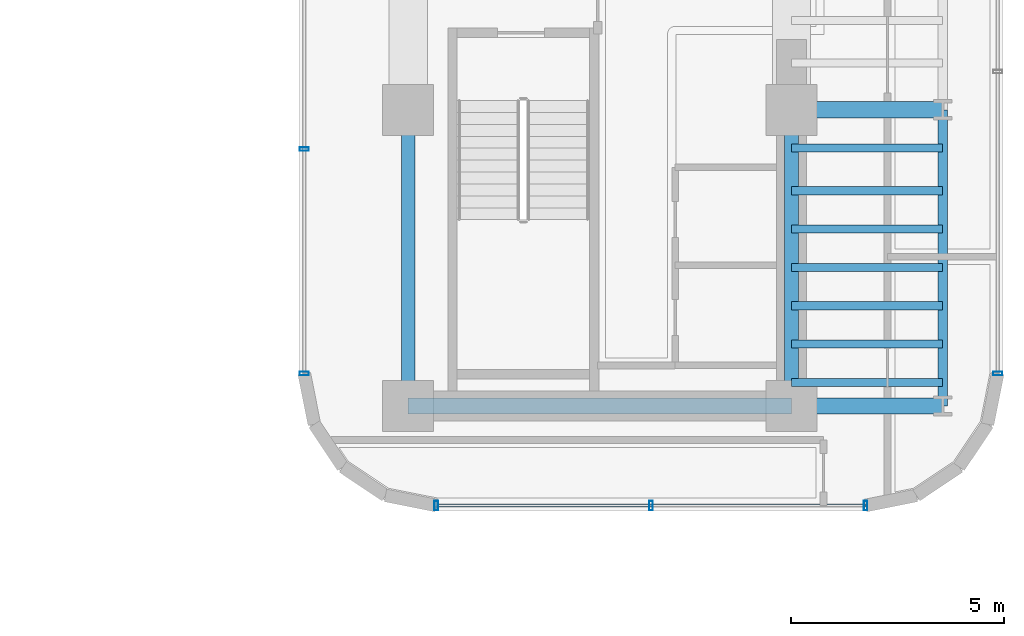
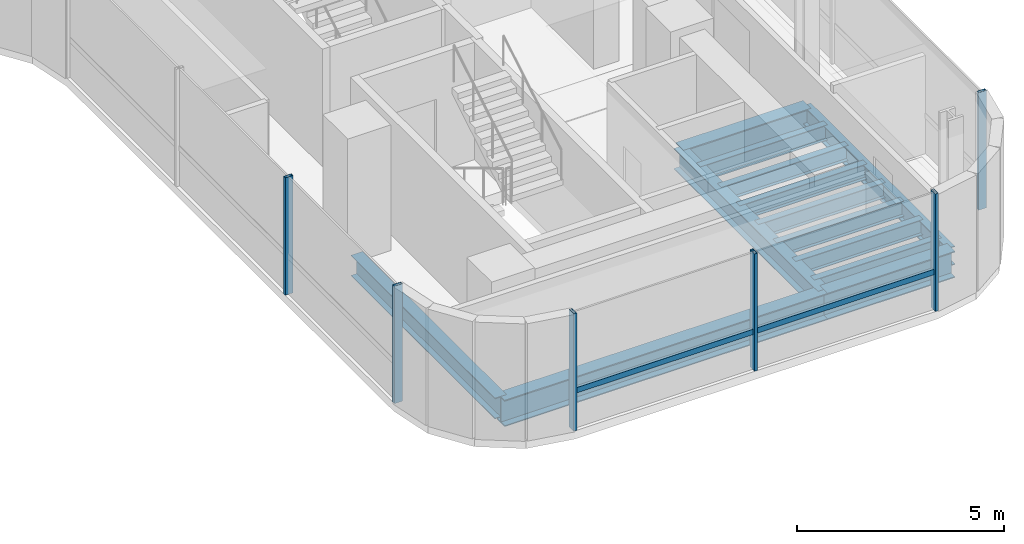
# One storey, part 13 of 38: 13 beams, 7 members, 3 elements without a shape of their own.
"""IFC4 building model written with IfcOpenShell, lengths in metres."""

from ifc_helpers import new_model, si_unit, direction, frame, origin, origin_2d, place, context, subcontext, project, spatial, hollow_rectangle, i_section, extrude, source, transform, mapped, material, material_profile, profile_set, type_object, element, aggregate, save


model = new_model("IFC4")

# Units and contexts
model_context = context("Model", 3, precision=1e-05, world=origin(), true_north=direction((0.0, 1.0)))
body_context = subcontext(model_context, "Body", "Model", "MODEL_VIEW")
ifc_project = project(units=[si_unit("LENGTHUNIT", "METRE"), si_unit("AREAUNIT", "SQUARE_METRE"), si_unit("VOLUMEUNIT", "CUBIC_METRE"), si_unit("PLANEANGLEUNIT", "RADIAN"), si_unit("MASSUNIT", "GRAM", prefix="KILO")], contexts=[model_context])

# Site, building, storey
site_placement = place(None, origin())
site = spatial("IfcSite", under=ifc_project, at=site_placement, CompositionType="ELEMENT")
building_placement = place(site_placement, origin())
building = spatial("IfcBuilding", under=site, at=building_placement, Name="Valdorenza Pilgrim Sanctuary Tower", CompositionType="ELEMENT")
storey_placement = place(building_placement, frame((0.0, 0.0, 131.60009765625)))
storey = spatial("IfcBuildingStorey", under=building, at=storey_placement, Name="L33", CompositionType="ELEMENT", Elevation=131.60009765625)

# Beams
ifc_material_1 = material(Name="Steel ASTM A992 Grade 50", Category="steel")
ifc_material_profile_1 = material_profile(ifc_material_1, i_section(OverallWidth=0.323974609375, OverallDepth=0.611083984375, WebThickness=0.0126953125, FlangeThickness=0.01904296875, at=origin_2d()), Name="W24X104")
ifc_profile_set_1 = profile_set([ifc_material_profile_1], Name="Steel ASTM A992 Grade 50")
beam_type_1 = type_object("IfcBeamType", Name="STR-BM-GRD-W24B", PredefinedType="BEAM", material=ifc_profile_set_1)
shared_shape_1 = source(origin(), body_context, "Body", "SweptSolid", [
    extrude(i_section(OverallWidth=0.323974609375, OverallDepth=0.611083984375, WebThickness=0.0126953125, FlangeThickness=0.01904296875, at=origin_2d()), origin(), (0.0, 0.0, 1.0), 6.949951171875),
])
for number, where, z_axis, x_axis, name in (
    (1, (15.85009765625, -9.550048828125, -0.545654296875), (0.0, 1.0, 0.0), (-1.0, 0.0, 0.0), "L33 Core Tie Girder CB-W-S1M0"),
    (2, (24.85009765625, -9.550048828125, -0.545654296875), (0.0, 1.0, 0.0), (-1.0, 0.0, 0.0), "L33 Core Tie Girder CB-E-S1M0"),
):
    element("IfcBeam", number, at=place(storey_placement, frame(where, z_axis=z_axis, x_axis=x_axis)), inside=storey, type_object=beam_type_1, Name=name, PredefinedType="BEAM", context=body_context, shape_type="MappedRepresentation", body=[
        mapped(shared_shape_1, transform((0.0, 0.0, 0.0), x_axis=(1.0, 0.0, 0.0), y_axis=(0.0, 1.0, 0.0), z_axis=(0.0, 0.0, 1.0), scale=1.0)),
    ])
ifc_material_profile_2 = material_profile(ifc_material_1, i_section(OverallWidth=0.214111328125, OverallDepth=0.549072265625, WebThickness=0.0146484375, FlangeThickness=0.023681640625, at=origin_2d()), Name="W21X93")
ifc_profile_set_2 = profile_set([ifc_material_profile_2], Name="Steel ASTM A992 Grade 50")
beam_type_2 = type_object("IfcBeamType", Name="STR-BM-SPN-W21A", PredefinedType="SPANDREL", material=ifc_profile_set_2)
shared_shape_2 = source(origin(), body_context, "Body", "SweptSolid", [
    extrude(i_section(OverallWidth=0.214111328125, OverallDepth=0.549072265625, WebThickness=0.0146484375, FlangeThickness=0.023681640625, at=origin_2d()), origin(), (0.0, 0.0, 1.0), 6.949951171875),
])
beam_1_placement = place(storey_placement, frame((28.39990234375, -9.550048828125, -0.5146484375), z_axis=(0.0, 1.0, 0.0), x_axis=(-1.0, 0.0, 0.0)))
element("IfcBeam", 3, at=beam_1_placement, inside=storey, type_object=beam_type_2, Name="L33 Spandrel Beam WB-E-S1M0", PredefinedType="SPANDREL", context=body_context, shape_type="MappedRepresentation", body=[
    mapped(shared_shape_2, transform((0.0, 0.0, 0.0), x_axis=(1.0, 0.0, 0.0), y_axis=(0.0, 1.0, 0.0), z_axis=(0.0, 0.0, 1.0), scale=1.0)),
])
ifc_material_profile_3 = material_profile(ifc_material_1, i_section(OverallWidth=0.382080078125, OverallDepth=0.779052734375, WebThickness=0.01806640625, FlangeThickness=0.030029296875, at=origin_2d()), Name="W30X191")
ifc_profile_set_3 = profile_set([ifc_material_profile_3], Name="Steel ASTM A992 Grade 50")
beam_type_3 = type_object("IfcBeamType", Name="STR-BM-GRD-W30", PredefinedType="BEAM", material=ifc_profile_set_3)
shared_shape_3 = source(origin(), body_context, "Body", "SweptSolid", [
    extrude(i_section(OverallWidth=0.382080078125, OverallDepth=0.779052734375, WebThickness=0.01806640625, FlangeThickness=0.030029296875, at=origin_2d()), origin(), (0.0, 0.0, 1.0), 9.0),
])
beam_2_placement = place(storey_placement, frame((15.85009765625, -9.550048828125, -0.629638671875), z_axis=(1.0, 0.0, 0.0), x_axis=(0.0, 1.0, 0.0)))
element("IfcBeam", 4, at=beam_2_placement, inside=storey, type_object=beam_type_3, Name="L33 Floor Girder CB-XC-S1", PredefinedType="BEAM", context=body_context, shape_type="MappedRepresentation", body=[
    mapped(shared_shape_3, transform((0.0, 0.0, 0.0), x_axis=(1.0, 0.0, 0.0), y_axis=(0.0, 1.0, 0.0), z_axis=(0.0, 0.0, 1.0), scale=1.0)),
])
shared_shape_4 = source(origin(), body_context, "Body", "SweptSolid", [
    extrude(i_section(OverallWidth=0.382080078125, OverallDepth=0.779052734375, WebThickness=0.01806640625, FlangeThickness=0.030029296875, at=origin_2d()), origin(), (0.0, 0.0, 1.0), 3.5498046875),
])
for number, where, z_axis, x_axis, name in (
    (5, (24.85009765625, -9.550048828125, -0.629638671875), (1.0, 0.0, 0.0), (0.0, 1.0, 0.0), "L33 Floor Girder WB-XE-S1"),
    (6, (24.85009765625, -2.60009765625, -0.629638671875), (1.0, 0.0, 0.0), (0.0, 1.0, 0.0), "L33 Floor Girder WB-XE-M0"),
):
    element("IfcBeam", number, at=place(storey_placement, frame(where, z_axis=z_axis, x_axis=x_axis)), inside=storey, type_object=beam_type_3, Name=name, PredefinedType="BEAM", context=body_context, shape_type="MappedRepresentation", body=[
        mapped(shared_shape_4, transform((0.0, 0.0, 0.0), x_axis=(1.0, 0.0, 0.0), y_axis=(0.0, 1.0, 0.0), z_axis=(0.0, 0.0, 1.0), scale=1.0)),
    ])
ifc_material_profile_4 = material_profile(ifc_material_1, i_section(OverallWidth=0.19091796875, OverallDepth=0.45703125, WebThickness=0.009033203125, FlangeThickness=0.014404296875, at=origin_2d()), Name="W18X50")
ifc_profile_set_4 = profile_set([ifc_material_profile_4], Name="Steel ASTM A992 Grade 50")
beam_type_4 = type_object("IfcBeamType", Name="STR-BM-JST-W18B", PredefinedType="JOIST", material=ifc_profile_set_4)
shared_shape_5 = source(origin(), body_context, "Body", "SweptSolid", [
    extrude(i_section(OverallWidth=0.19091796875, OverallDepth=0.45703125, WebThickness=0.009033203125, FlangeThickness=0.014404296875, at=origin_2d()), origin(), (0.0, 0.0, 1.0), 3.5498046875),
])
for number, where, z_axis, x_axis, name in (
    (7, (24.85009765625, -9.0, -0.468505859375), (1.0, 0.0, 0.0), (0.0, 1.0, 0.0), "L33 Composite Floor Joist JST-WB-1"),
    (8, (24.85009765625, -8.10009765625, -0.468505859375), (1.0, 0.0, 0.0), (0.0, 1.0, 0.0), "L33 Composite Floor Joist JST-WB-2"),
    (9, (24.85009765625, -7.199951171875, -0.468505859375), (1.0, 0.0, 0.0), (0.0, 1.0, 0.0), "L33 Composite Floor Joist JST-WB-3"),
    (10, (24.85009765625, -6.300048828125, -0.468505859375), (1.0, 0.0, 0.0), (0.0, 1.0, 0.0), "L33 Composite Floor Joist JST-WB-4"),
    (11, (24.85009765625, -5.39990234375, -0.468505859375), (1.0, 0.0, 0.0), (0.0, 1.0, 0.0), "L33 Composite Floor Joist JST-WB-5"),
    (12, (24.85009765625, -4.5, -0.468505859375), (1.0, 0.0, 0.0), (0.0, 1.0, 0.0), "L33 Composite Floor Joist JST-WB-6"),
    (13, (24.85009765625, -3.5, -0.468505859375), (1.0, 0.0, 0.0), (0.0, 1.0, 0.0), "L33 Composite Floor Joist JST-WB-7"),
):
    element("IfcBeam", number, at=place(storey_placement, frame(where, z_axis=z_axis, x_axis=x_axis)), inside=storey, type_object=beam_type_4, Name=name, PredefinedType="JOIST", context=body_context, shape_type="MappedRepresentation", body=[
        mapped(shared_shape_5, transform((0.0, 0.0, 0.0), x_axis=(1.0, 0.0, 0.0), y_axis=(0.0, 1.0, 0.0), z_axis=(0.0, 0.0, 1.0), scale=1.0)),
    ])

# Curtain wall, member
ifc_material_2 = material(Name="Curtain-wall IGU glazing", Category="glass")
curtain_wall_type = type_object("IfcCurtainWallType", Name="CW-SYS-03", PredefinedType="NOTDEFINED", material=ifc_material_2)
curtain_wall_1_placement = place(storey_placement, origin())
curtain_wall_1 = element("IfcCurtainWall", 14, at=curtain_wall_1_placement, inside=storey, type_object=curtain_wall_type, Name="L33 Curtain Wall CW-L33-1-21", PredefinedType="NOTDEFINED")
ifc_material_3 = material(Name="Anodised aluminium AW-6060", Category="aluminium")
ifc_material_profile_5 = material_profile(ifc_material_3, hollow_rectangle(XDim=0.0849609375, YDim=0.219970703125, WallThickness=0.0048828125, at=origin_2d()), Name="ALU-M 220x85x5")
ifc_profile_set_5 = profile_set([ifc_material_profile_5], Name="Anodised aluminium AW-6060")
member_type_1 = type_object("IfcMemberType", Name="CW-MUL-03", PredefinedType="MULLION", material=ifc_profile_set_5)
shared_shape_6 = source(origin(), body_context, "Body", "SweptSolid", [
    extrude(hollow_rectangle(XDim=0.0849609375, YDim=0.219970703125, WallThickness=0.0048828125, at=origin_2d()), origin(), (0.0, 0.0, 1.0), 3.4599609375),
])
member_1_placement = place(storey_placement, frame((29.68994140625, -8.789306640625, 0.0), z_axis=(0.0, 0.0, 1.0), x_axis=(0.0, -1.0, 0.0)))
member_1 = element("IfcMember", 15, at=member_1_placement, type_object=member_type_1, Name="CW-L33-1-21 Mullion 4", PredefinedType="MULLION", context=body_context, shape_type="MappedRepresentation", body=[
    mapped(shared_shape_6, transform((0.0, 0.0, 0.0), x_axis=(1.0, 0.0, 0.0), y_axis=(0.0, 1.0, 0.0), z_axis=(0.0, 0.0, 1.0), scale=1.0)),
])
aggregate(curtain_wall_1, [member_1])

# Curtain wall, members
curtain_wall_2_placement = place(storey_placement, origin())
curtain_wall_2 = element("IfcCurtainWall", 16, at=curtain_wall_2_placement, inside=storey, type_object=curtain_wall_type, Name="L33 Curtain Wall CW-L33-1-26", PredefinedType="NOTDEFINED")
member_2_placement = place(storey_placement, frame((26.589111328125, -11.889892578125, 0.0), z_axis=(0.0, 0.0, 1.0), x_axis=(-1.0, 0.0, 0.0)))
member_2 = element("IfcMember", 17, at=member_2_placement, type_object=member_type_1, Name="CW-L33-1-26 Mullion 1", PredefinedType="MULLION", context=body_context, shape_type="MappedRepresentation", body=[
    mapped(shared_shape_6, transform((0.0, 0.0, 0.0), x_axis=(1.0, 0.0, 0.0), y_axis=(0.0, 1.0, 0.0), z_axis=(0.0, 0.0, 1.0), scale=1.0)),
])
member_3_placement = place(storey_placement, frame((21.550048828125, -11.889892578125, 0.0), z_axis=(0.0, 0.0, 1.0), x_axis=(-1.0, 0.0, 0.0)))
member_3 = element("IfcMember", 18, at=member_3_placement, type_object=member_type_1, Name="CW-L33-1-26 Mullion 2", PredefinedType="MULLION", context=body_context, shape_type="MappedRepresentation", body=[
    mapped(shared_shape_6, transform((0.0, 0.0, 0.0), x_axis=(1.0, 0.0, 0.0), y_axis=(0.0, 1.0, 0.0), z_axis=(0.0, 0.0, 1.0), scale=1.0)),
])
member_4_placement = place(storey_placement, frame((16.5107421875, -11.889892578125, 0.0), z_axis=(0.0, 0.0, 1.0), x_axis=(-1.0, 0.0, 0.0)))
member_4 = element("IfcMember", 19, at=member_4_placement, type_object=member_type_1, Name="CW-L33-1-26 Mullion 3", PredefinedType="MULLION", context=body_context, shape_type="MappedRepresentation", body=[
    mapped(shared_shape_6, transform((0.0, 0.0, 0.0), x_axis=(1.0, 0.0, 0.0), y_axis=(0.0, 1.0, 0.0), z_axis=(0.0, 0.0, 1.0), scale=1.0)),
])

curtain_wall_3_placement = place(storey_placement, origin())
curtain_wall_3 = element("IfcCurtainWall", 20, at=curtain_wall_3_placement, inside=storey, type_object=curtain_wall_type, Name="L33 Curtain Wall CW-L33-1-31", PredefinedType="NOTDEFINED")
member_5_placement = place(storey_placement, frame((13.409912109375, -8.789306640625, 0.0), z_axis=(0.0, 0.0, 1.0), x_axis=(0.0, 1.0, 0.0)))
member_5 = element("IfcMember", 21, at=member_5_placement, type_object=member_type_1, Name="CW-L33-1-31 Mullion 1", PredefinedType="MULLION", context=body_context, shape_type="MappedRepresentation", body=[
    mapped(shared_shape_6, transform((0.0, 0.0, 0.0), x_axis=(1.0, 0.0, 0.0), y_axis=(0.0, 1.0, 0.0), z_axis=(0.0, 0.0, 1.0), scale=1.0)),
])
member_6_placement = place(storey_placement, frame((13.409912109375, -3.5224609375, 0.0), z_axis=(0.0, 0.0, 1.0), x_axis=(0.0, 1.0, 0.0)))
member_6 = element("IfcMember", 22, at=member_6_placement, type_object=member_type_1, Name="CW-L33-1-31 Mullion 2", PredefinedType="MULLION", context=body_context, shape_type="MappedRepresentation", body=[
    mapped(shared_shape_6, transform((0.0, 0.0, 0.0), x_axis=(1.0, 0.0, 0.0), y_axis=(0.0, 1.0, 0.0), z_axis=(0.0, 0.0, 1.0), scale=1.0)),
])
aggregate(curtain_wall_3, [member_5, member_6])

# Member
ifc_material_profile_6 = material_profile(ifc_material_3, hollow_rectangle(XDim=0.074951171875, YDim=0.159912109375, WallThickness=0.00390625, at=origin_2d()), Name="ALU-T 160x75x4")
ifc_profile_set_6 = profile_set([ifc_material_profile_6], Name="Anodised aluminium AW-6060")
member_type_2 = type_object("IfcMemberType", Name="CW-TRN-03", PredefinedType="USERDEFINED", material=ifc_profile_set_6)
shared_shape_7 = source(origin(), body_context, "Body", "SweptSolid", [
    extrude(hollow_rectangle(XDim=0.074951171875, YDim=0.159912109375, WallThickness=0.00390625, at=origin_2d()), origin(), (0.0, 0.0, 1.0), 10.078369140625),
])
member_7_placement = place(storey_placement, frame((26.589111328125, -11.889892578125, 1.119873046875), z_axis=(-1.0, 0.0, 0.0), x_axis=(0.0, -1.0, 0.0)))
member_7 = element("IfcMember", 23, at=member_7_placement, type_object=member_type_2, Name="CW-L33-1-26 Transom 1", ObjectType="TRANSOM", PredefinedType="USERDEFINED", context=body_context, shape_type="MappedRepresentation", body=[
    mapped(shared_shape_7, transform((0.0, 0.0, 0.0), x_axis=(1.0, 0.0, 0.0), y_axis=(0.0, 1.0, 0.0), z_axis=(0.0, 0.0, 1.0), scale=1.0)),
])

aggregate(curtain_wall_2, [member_2, member_3, member_4, member_7])

save(model, "model.ifc")
